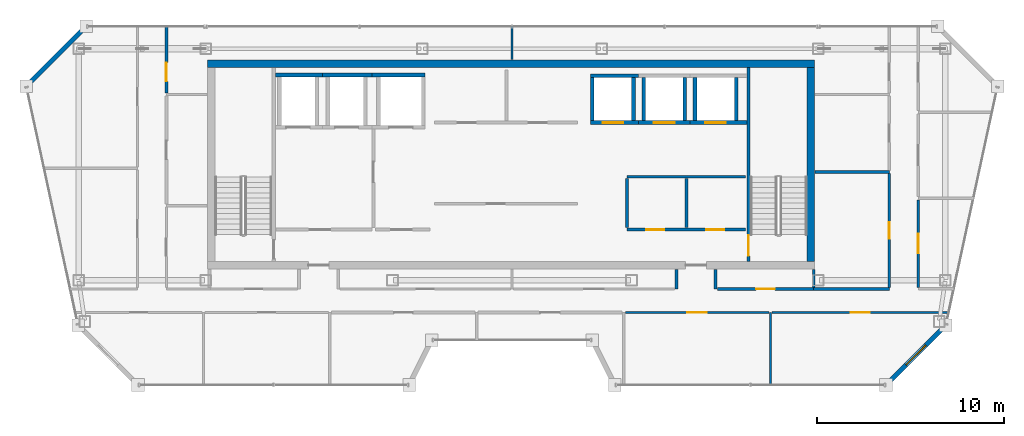
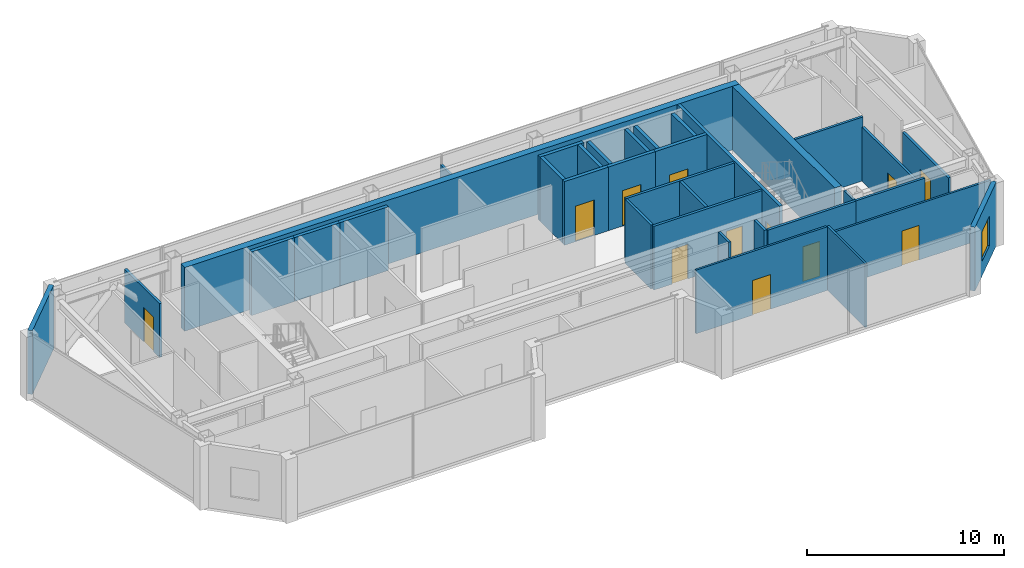
# One storey, part 16 of 20: 35 walls, 12 doors, 1 window, 13 openings.
"""IFC4 building model written with IfcOpenShell, lengths in metres."""

from ifc_helpers import new_model, si_unit, direction, frame, frame_2d, origin, place, context, subcontext, project, spatial, rectangle, extrude, material, layer, layer_set, type_object, element, fill, save


model = new_model("IFC4")

# Units and contexts
model_context = context("Model", 3, precision=1e-05, world=origin(), true_north=direction((0.0, 1.0)))
body_context = subcontext(model_context, "Body", "Model", "MODEL_VIEW")
ifc_project = project(units=[si_unit("LENGTHUNIT", "METRE"), si_unit("AREAUNIT", "SQUARE_METRE"), si_unit("VOLUMEUNIT", "CUBIC_METRE"), si_unit("PLANEANGLEUNIT", "RADIAN"), si_unit("MASSUNIT", "GRAM", prefix="KILO")], contexts=[model_context])

# Site, building, storey
site_placement = place(None, origin())
site = spatial("IfcSite", under=ifc_project, at=site_placement, CompositionType="ELEMENT")
building_placement = place(site_placement, origin())
building = spatial("IfcBuilding", under=site, at=building_placement, Name="Saevonmaru Cultural Tower", CompositionType="ELEMENT")
storey_placement = place(building_placement, frame((0.0, 0.0, 319.199951171875)))
storey = spatial("IfcBuildingStorey", under=building, at=storey_placement, Name="L76", CompositionType="ELEMENT", Elevation=319.199951171875)

# Walls
ifc_material_1 = material(Name="Concrete C50/60", Category="concrete")
ifc_layer_1 = layer(ifc_material_1, 0.39990234375, Name="Concrete C50/60")
ifc_layer_set_1 = layer_set([ifc_layer_1], Name="Concrete C50/60")
wall_type_1 = type_object("IfcWallType", Name="WL-CORE-400", PredefinedType="SHEAR", material=ifc_layer_set_1)
wall_1_placement = place(storey_placement, frame((13.699951171875, 54.0, 0.0), z_axis=(0.0, 0.0, 1.0), x_axis=(1.0, 0.0, 0.0)))
element("IfcWall", 1, at=wall_1_placement, inside=storey, type_object=wall_type_1, Name="L76 Tower RC core shear wall N", PredefinedType="SHEAR", context=body_context, shape_type="SweptSolid", body=[
    extrude(rectangle(XDim=32.5, YDim=0.39990234375, at=frame_2d((16.25, 0.0))), origin(), (0.0, 0.0, 1.0), 3.949951171875),
])
wall_2_placement = place(storey_placement, frame((46.0, 43.39990234375, 0.0), z_axis=(0.0, 0.0, 1.0), x_axis=(0.0, 1.0, 0.0)))
element("IfcWall", 2, at=wall_2_placement, inside=storey, type_object=wall_type_1, Name="L76 Tower RC core shear wall E", PredefinedType="SHEAR", context=body_context, shape_type="SweptSolid", body=[
    extrude(rectangle(XDim=10.400146484375, YDim=0.39990234375, at=frame_2d((5.2001953125, 0.0))), origin(), (0.0, 0.0, 1.0), 3.949951171875),
])

# Wall, openings, doors
ifc_material_2 = material(Name="Gypsum Fireboard Partition", Category="gypsum")
ifc_layer_2 = layer(ifc_material_2, 0.14990234375, Name="Gypsum Fireboard Partition")
ifc_layer_set_2 = layer_set([ifc_layer_2], Name="Gypsum Fireboard Partition")
wall_type_2 = type_object("IfcWallType", Name="WL-CORE-PART-150", PredefinedType="PARTITIONING", material=ifc_layer_set_2)
wall_3_placement = place(storey_placement, frame((36.14990234375, 45.1201171875, 0.0), z_axis=(0.0, 0.0, 1.0), x_axis=(1.0, 0.0, 0.0)))
wall_3 = element("IfcWall", 3, at=wall_3_placement, inside=storey, type_object=wall_type_2, Name="L76 Core Cluster South Wall", PredefinedType="PARTITIONING", context=body_context, shape_type="SweptSolid", body=[
    extrude(rectangle(XDim=6.35009765625, YDim=0.14990234375, at=frame_2d((3.175048828125, 0.0))), origin(), (0.0, 0.0, 1.0), 3.949951171875),
])
opening_1_placement = place(wall_3_placement, frame((1.050048828125, 0.0, 0.0)))
opening_1 = element("IfcOpeningElement", 4, at=opening_1_placement, cuts=wall_3, Name="Opening FD-4", PredefinedType="OPENING", context=body_context, shape_type="SweptSolid", body=[
    extrude(rectangle(XDim=0.949951171875, YDim=2.14990234375, at=frame_2d((0.47509765625, 1.074951171875))), frame((0.0, 0.0849609375, 0.0), z_axis=(0.0, -1.0, 0.0), x_axis=(1.0, 0.0, 0.0)), (0.0, 0.0, 1.0), 0.169921875),
])
opening_2_placement = place(wall_3_placement, frame((4.25, 0.0, 0.0)))
opening_2 = element("IfcOpeningElement", 5, at=opening_2_placement, cuts=wall_3, Name="Opening FD-4", PredefinedType="OPENING", context=body_context, shape_type="SweptSolid", body=[
    extrude(rectangle(XDim=0.949951171875, YDim=2.14990234375, at=frame_2d((0.47509765625, 1.074951171875))), frame((0.0, 0.0849609375, 0.0), z_axis=(0.0, -1.0, 0.0), x_axis=(1.0, 0.0, 0.0)), (0.0, 0.0, 1.0), 0.169921875),
])
ifc_material_3 = material(Name="Satin Bronze Anodised Aluminium", Category="aluminium")
door_type_1 = type_object("IfcDoorType", Name="DR-FD60-950", OperationType="SINGLE_SWING_LEFT", PredefinedType="DOOR", material=ifc_material_3)
door_1_placement = place(opening_1_placement, origin())
door_1 = element("IfcDoor", 6, at=door_1_placement, inside=storey, type_object=door_type_1, Name="L76 BMS Control Room Door", OperationType="SINGLE_SWING_LEFT", OverallHeight=2.14990234375, OverallWidth=0.949951171875, PredefinedType="DOOR", context=body_context, shape_type="SweptSolid", body=[
    extrude(rectangle(XDim=0.949951171875, YDim=2.14990234375, at=frame_2d((0.47509765625, 1.074951171875))), frame((0.0, 0.02490234375, 0.0), z_axis=(0.0, -1.0, 0.0), x_axis=(1.0, 0.0, 0.0)), (0.0, 0.0, 1.0), 0.050048828125),
])
fill(opening_1, door_1)
door_2_placement = place(opening_2_placement, origin())
door_2 = element("IfcDoor", 7, at=door_2_placement, inside=storey, type_object=door_type_1, Name="L76 Fibre Node Plant Door", OperationType="SINGLE_SWING_LEFT", OverallHeight=2.14990234375, OverallWidth=0.949951171875, PredefinedType="DOOR", context=body_context, shape_type="SweptSolid", body=[
    extrude(rectangle(XDim=0.949951171875, YDim=2.14990234375, at=frame_2d((0.47509765625, 1.074951171875))), frame((0.0, 0.02490234375, 0.0), z_axis=(0.0, -1.0, 0.0), x_axis=(1.0, 0.0, 0.0)), (0.0, 0.0, 1.0), 0.050048828125),
])
fill(opening_2, door_2)

# Walls
wall_4_placement = place(storey_placement, frame((36.14990234375, 47.949951171875, 0.0), z_axis=(0.0, 0.0, 1.0), x_axis=(1.0, 0.0, 0.0)))
element("IfcWall", 8, at=wall_4_placement, inside=storey, type_object=wall_type_2, Name="L76 Core Cluster North Wall", PredefinedType="PARTITIONING", context=body_context, shape_type="SweptSolid", body=[
    extrude(rectangle(XDim=6.35009765625, YDim=0.14990234375, at=frame_2d((3.175048828125, 0.0))), origin(), (0.0, 0.0, 1.0), 3.949951171875),
])
for number, where, z_axis, x_axis, name in (
    (9, (36.14990234375, 45.219970703125, 0.0), (0.0, 0.0, 1.0), (0.0, 1.0, 0.0), "L76 Core Cluster West Wall"),
    (10, (39.35009765625, 45.219970703125, 0.0), (0.0, 0.0, 1.0), (0.0, 1.0, 0.0), "L76 Core Cluster Inner Split"),
):
    element("IfcWall", number, at=place(storey_placement, frame(where, z_axis=z_axis, x_axis=x_axis)), inside=storey, type_object=wall_type_2, Name=name, PredefinedType="PARTITIONING", context=body_context, shape_type="SweptSolid", body=[
        extrude(rectangle(XDim=2.630126953125, YDim=0.14990234375, at=frame_2d((1.31494140625, 0.0))), origin(), (0.0, 0.0, 1.0), 3.949951171875),
    ])

# Wall, opening, window
ifc_material_4 = material(Name="Granite-Clad Precast Concrete C40/50", Category="masonry")
ifc_layer_3 = layer(ifc_material_4, 0.260009765625, Name="Granite-Clad Precast Concrete C40/50")
ifc_layer_set_3 = layer_set([ifc_layer_3], Name="Granite-Clad Precast Concrete C40/50")
wall_type_3 = type_object("IfcWallType", Name="WL-EXT-SPANDREL-260", PredefinedType="STANDARD", material=ifc_layer_set_3)
wall_5_placement = place(storey_placement, frame((50.139892578125, 36.9130859375, 0.0), z_axis=(0.0, 0.0, 1.0), x_axis=(0.70707775441, 0.707135806771, 0.0)))
wall_5 = element("IfcWall", 11, at=wall_5_placement, inside=storey, type_object=wall_type_3, Name="L76 Chamfer Corner Spandrel Wall E7", PredefinedType="STANDARD", context=body_context, shape_type="SweptSolid", body=[
    extrude(rectangle(XDim=4.20556640625, YDim=0.260009765625, at=frame_2d((2.102783203125, 0.0))), origin(), (0.0, 0.0, 1.0), 3.949951171875),
])
opening_3_placement = place(wall_5_placement, frame((1.35302734375, 0.0, 0.89990234375)))
opening_3 = element("IfcOpeningElement", 12, at=opening_3_placement, cuts=wall_5, Name="Opening W-2B", PredefinedType="OPENING", context=body_context, shape_type="SweptSolid", body=[
    extrude(rectangle(XDim=1.5, YDim=1.85009765625, at=frame_2d((0.75, 0.925048828125))), frame((0.0, 0.14013671875, 0.0), z_axis=(0.0, -1.0, 0.0), x_axis=(1.0, 0.0, 0.0)), (0.0, 0.0, 1.0), 0.280029296875),
])
window_type = type_object("IfcWindowType", Name="WN-DECO-1500x1850", PartitioningType="SINGLE_PANEL", PredefinedType="WINDOW", material=ifc_material_3)
window_placement = place(opening_3_placement, origin())
window = element("IfcWindow", 13, at=window_placement, inside=storey, type_object=window_type, Name="L76 Chamfer Corner Bronze Window E7", OverallHeight=1.85009765625, OverallWidth=1.5, PartitioningType="SINGLE_PANEL", PredefinedType="WINDOW", context=body_context, shape_type="SweptSolid", body=[
    extrude(rectangle(XDim=1.5, YDim=1.85009765625, at=frame_2d((0.75, 0.925048828125))), frame((0.0, 0.030029296875, 0.0), z_axis=(0.0, -1.0, 0.0), x_axis=(1.0, 0.0, 0.0)), (0.0, 0.0, 1.0), 0.06005859375),
])
fill(opening_3, window)

# Wall
wall_6_placement = place(storey_placement, frame((7.0869140625, 55.886962890625, 0.0), z_axis=(0.0, 0.0, 1.0), x_axis=(-0.707106781187, -0.707106781187, 0.0)))
element("IfcWall", 14, at=wall_6_placement, inside=storey, type_object=wall_type_3, Name="L76 Chamfer Corner Spandrel Wall E11", PredefinedType="STANDARD", context=body_context, shape_type="SweptSolid", body=[
    extrude(rectangle(XDim=4.205810546875, YDim=0.260009765625, at=frame_2d((2.10302734375, 0.0))), origin(), (0.0, 0.0, 1.0), 3.949951171875),
])

# Wall, opening, door
ifc_layer_4 = layer(ifc_material_2, 0.14990234375, Name="Gypsum Fireboard Partition")
ifc_layer_set_4 = layer_set([ifc_layer_4], Name="Gypsum Fireboard Partition")
wall_type_4 = type_object("IfcWallType", Name="WL-PART-FIRE-150", PredefinedType="PARTITIONING", material=ifc_layer_set_4)
wall_7_placement = place(storey_placement, frame((11.5, 52.429931640625, 0.0), z_axis=(0.0, 0.0, 1.0), x_axis=(0.0, 1.0, 0.0)))
wall_7 = element("IfcWall", 15, at=wall_7_placement, inside=storey, type_object=wall_type_4, Name="L76 Media Screening Auditorium Corridor Wall", PredefinedType="PARTITIONING", context=body_context, shape_type="SweptSolid", body=[
    extrude(rectangle(XDim=3.565185546875, YDim=0.14990234375, at=frame_2d((1.78271484375, 0.0))), origin(), (0.0, 0.0, 1.0), 3.3349609375),
])
opening_4_placement = place(wall_7_placement, frame((0.6220703125, 0.0, 0.0)))
opening_4 = element("IfcOpeningElement", 16, at=opening_4_placement, cuts=wall_7, Name="Opening ID-1B", PredefinedType="OPENING", context=body_context, shape_type="SweptSolid", body=[
    extrude(rectangle(XDim=1.0, YDim=2.14990234375, at=frame_2d((0.5, 1.074951171875))), frame((0.0, 0.0849609375, 0.0), z_axis=(0.0, -1.0, 0.0), x_axis=(1.0, 0.0, 0.0)), (0.0, 0.0, 1.0), 0.169921875),
])
ifc_material_5 = material(Name="Acoustic Stained Oak Timber", Category="wood")
door_type_2 = type_object("IfcDoorType", Name="DR-INT-1000", OperationType="SINGLE_SWING_RIGHT", PredefinedType="DOOR", material=ifc_material_5)
door_3_placement = place(opening_4_placement, origin())
door_3 = element("IfcDoor", 17, at=door_3_placement, inside=storey, type_object=door_type_2, Name="L76 Media Screening Auditorium Door", OperationType="SINGLE_SWING_LEFT", OverallHeight=2.14990234375, OverallWidth=1.0, PredefinedType="DOOR", context=body_context, shape_type="SweptSolid", body=[
    extrude(rectangle(XDim=1.0, YDim=2.14990234375, at=frame_2d((0.5, 1.074951171875))), frame((0.0, 0.02490234375, 0.0), z_axis=(0.0, -1.0, 0.0), x_axis=(1.0, 0.0, 0.0)), (0.0, 0.0, 1.0), 0.050048828125),
])
fill(opening_4, door_3)

wall_8_placement = place(storey_placement, frame((51.75, 42.027587890625, 0.0), z_axis=(0.0, 0.0, 1.0), x_axis=(0.0, 1.0, 0.0)))
wall_8 = element("IfcWall", 18, at=wall_8_placement, inside=storey, type_object=wall_type_4, Name="L76 Visual Arts Critique Gallery Corridor Wall", PredefinedType="PARTITIONING", context=body_context, shape_type="SweptSolid", body=[
    extrude(rectangle(XDim=4.684814453125, YDim=0.14990234375, at=frame_2d((2.34228515625, 0.0))), origin(), (0.0, 0.0, 1.0), 3.34716796875),
])
opening_5_placement = place(wall_8_placement, frame((1.81689453125, 0.0, 0.0)))
opening_5 = element("IfcOpeningElement", 19, at=opening_5_placement, cuts=wall_8, Name="Opening ID-1", PredefinedType="OPENING", context=body_context, shape_type="SweptSolid", body=[
    extrude(rectangle(XDim=1.050048828125, YDim=2.14990234375, at=frame_2d((0.52490234375, 1.074951171875))), frame((0.0, 0.0849609375, 0.0), z_axis=(0.0, -1.0, 0.0), x_axis=(1.0, 0.0, 0.0)), (0.0, 0.0, 1.0), 0.169921875),
])
door_type_3 = type_object("IfcDoorType", Name="DR-INT-1050", OperationType="SINGLE_SWING_LEFT", PredefinedType="DOOR", material=ifc_material_3)
door_4_placement = place(opening_5_placement, origin())
door_4 = element("IfcDoor", 20, at=door_4_placement, inside=storey, type_object=door_type_3, Name="L76 Visual Arts Critique Gallery Door", OperationType="SINGLE_SWING_RIGHT", OverallHeight=2.14990234375, OverallWidth=1.050048828125, PredefinedType="DOOR", context=body_context, shape_type="SweptSolid", body=[
    extrude(rectangle(XDim=1.050048828125, YDim=2.14990234375, at=frame_2d((0.52490234375, 1.074951171875))), frame((0.0, 0.02490234375, 0.0), z_axis=(0.0, -1.0, 0.0), x_axis=(1.0, 0.0, 0.0)), (0.0, 0.0, 1.0), 0.050048828125),
])
fill(opening_5, door_4)

# Walls
for number, where, z_axis, x_axis, name in (
    (21, (38.800048828125, 41.93994140625, 0.0), (0.0, 0.0, 1.0), (0.0, 1.0, 0.0), "L76 Core Portal Side Wall E1"),
    (22, (40.89990234375, 41.93994140625, 0.0), (0.0, 0.0, 1.0), (0.0, 1.0, 0.0), "L76 Core Portal Side Wall E2"),
):
    element("IfcWall", number, at=place(storey_placement, frame(where, z_axis=z_axis, x_axis=x_axis)), inside=storey, type_object=wall_type_4, Name=name, PredefinedType="PARTITIONING", context=body_context, shape_type="SweptSolid", body=[
        extrude(rectangle(XDim=1.0400390625, YDim=0.14990234375, at=frame_2d((0.52001953125, 0.0))), origin(), (0.0, 0.0, 1.0), 3.949951171875),
    ])

# Wall, opening, door
wall_9_placement = place(storey_placement, frame((40.9951171875, 41.93994140625, 0.0), z_axis=(0.0, 0.0, 1.0), x_axis=(1.0, 0.0, 0.0)))
wall_9 = element("IfcWall", 23, at=wall_9_placement, inside=storey, type_object=wall_type_4, Name="L76 Media Screening Auditorium Corridor Wall", PredefinedType="PARTITIONING", context=body_context, shape_type="SweptSolid", body=[
    extrude(rectangle(XDim=5.15478515625, YDim=0.14990234375, at=frame_2d((2.577392578125, 0.0))), origin(), (0.0, 0.0, 1.0), 3.949951171875),
])
opening_6_placement = place(wall_9_placement, frame((2.077880859375, 0.0, 0.0)))
opening_6 = element("IfcOpeningElement", 24, at=opening_6_placement, cuts=wall_9, Name="Opening ID-1B", PredefinedType="OPENING", context=body_context, shape_type="SweptSolid", body=[
    extrude(rectangle(XDim=1.0, YDim=2.14990234375, at=frame_2d((0.5, 1.074951171875))), frame((0.0, 0.0849609375, 0.0), z_axis=(0.0, -1.0, 0.0), x_axis=(1.0, 0.0, 0.0)), (0.0, 0.0, 1.0), 0.169921875),
])
door_5_placement = place(opening_6_placement, origin())
door_5 = element("IfcDoor", 25, at=door_5_placement, inside=storey, type_object=door_type_2, Name="L76 Media Screening Auditorium Door", OperationType="SINGLE_SWING_RIGHT", OverallHeight=2.14990234375, OverallWidth=1.0, PredefinedType="DOOR", context=body_context, shape_type="SweptSolid", body=[
    extrude(rectangle(XDim=1.0, YDim=2.14990234375, at=frame_2d((0.5, 1.074951171875))), frame((0.0, 0.02490234375, 0.0), z_axis=(0.0, -1.0, 0.0), x_axis=(1.0, 0.0, 0.0)), (0.0, 0.0, 1.0), 0.050048828125),
])
fill(opening_6, door_5)

# Walls
ifc_layer_5 = layer(ifc_material_2, 0.1201171875, Name="Gypsum Fireboard Partition")
ifc_layer_set_5 = layer_set([ifc_layer_5], Name="Gypsum Fireboard Partition")
wall_type_5 = type_object("IfcWallType", Name="WL-PART-GYP-120", PredefinedType="PARTITIONING", material=ifc_layer_set_5)
wall_10_placement = place(storey_placement, frame((30.0, 54.219970703125, 0.0), z_axis=(0.0, 0.0, 1.0), x_axis=(0.0, 1.0, 0.0)))
element("IfcWall", 26, at=wall_10_placement, inside=storey, type_object=wall_type_5, Name="L76 North Panorama Center Split", PredefinedType="PARTITIONING", context=body_context, shape_type="SweptSolid", body=[
    extrude(rectangle(XDim=1.775146484375, YDim=0.1201171875, at=frame_2d((0.8876953125, 0.0))), origin(), (0.0, 0.0, 1.0), 3.3349609375),
])
wall_11_placement = place(storey_placement, frame((43.840087890625, 36.804931640625, 0.0), z_axis=(0.0, 0.0, 1.0), x_axis=(0.0, 1.0, 0.0)))
element("IfcWall", 27, at=wall_11_placement, inside=storey, type_object=wall_type_5, Name="L76 Observatory Bay Divider 5", PredefinedType="PARTITIONING", context=body_context, shape_type="SweptSolid", body=[
    extrude(rectangle(XDim=3.875, YDim=0.1201171875, at=frame_2d((1.9375, 0.0))), origin(), (0.0, 0.0, 1.0), 3.949951171875),
])

# Wall, opening, door
wall_12_placement = place(storey_placement, frame((36.0673828125, 40.679931640625, 0.0), z_axis=(0.0, 0.0, 1.0), x_axis=(1.0, 0.0, 0.0)))
wall_12 = element("IfcWall", 28, at=wall_12_placement, inside=storey, type_object=wall_type_5, Name="L76 Cartographic Study Library Corridor Wall", PredefinedType="PARTITIONING", context=body_context, shape_type="SweptSolid", body=[
    extrude(rectangle(XDim=7.692626953125, YDim=0.1201171875, at=frame_2d((3.84619140625, 0.0))), origin(), (0.0, 0.0, 1.0), 3.949951171875),
])
opening_7_placement = place(wall_12_placement, frame((3.321044921875, 0.0, 0.0)))
opening_7 = element("IfcOpeningElement", 29, at=opening_7_placement, cuts=wall_12, Name="Opening ID-1", PredefinedType="OPENING", context=body_context, shape_type="SweptSolid", body=[
    extrude(rectangle(XDim=1.050048828125, YDim=2.14990234375, at=frame_2d((0.52490234375, 1.074951171875))), frame((0.0, 0.070068359375, 0.0), z_axis=(0.0, -1.0, 0.0), x_axis=(1.0, 0.0, 0.0)), (0.0, 0.0, 1.0), 0.14013671875),
])
door_6_placement = place(opening_7_placement, origin())
door_6 = element("IfcDoor", 30, at=door_6_placement, inside=storey, type_object=door_type_3, Name="L76 Cartographic Study Library Door", OperationType="SINGLE_SWING_LEFT", OverallHeight=2.14990234375, OverallWidth=1.050048828125, PredefinedType="DOOR", context=body_context, shape_type="SweptSolid", body=[
    extrude(rectangle(XDim=1.050048828125, YDim=2.14990234375, at=frame_2d((0.52490234375, 1.074951171875))), frame((0.0, 0.02490234375, 0.0), z_axis=(0.0, -1.0, 0.0), x_axis=(1.0, 0.0, 0.0)), (0.0, 0.0, 1.0), 0.050048828125),
])
fill(opening_7, door_6)

wall_13_placement = place(storey_placement, frame((43.919921875, 40.679931640625, 0.0), z_axis=(0.0, 0.0, 1.0), x_axis=(1.0, 0.0, 0.0)))
wall_13 = element("IfcWall", 31, at=wall_13_placement, inside=storey, type_object=wall_type_5, Name="L76 Panoramic Salon Restaurant Corridor Wall", PredefinedType="PARTITIONING", context=body_context, shape_type="SweptSolid", body=[
    extrude(rectangle(XDim=9.448974609375, YDim=0.1201171875, at=frame_2d((4.724609375, 0.0))), origin(), (0.0, 0.0, 1.0), 3.485107421875),
])
opening_8_placement = place(wall_13_placement, frame((4.22412109375, 0.0, 0.0)))
opening_8 = element("IfcOpeningElement", 32, at=opening_8_placement, cuts=wall_13, Name="Opening ID-1B", PredefinedType="OPENING", context=body_context, shape_type="SweptSolid", body=[
    extrude(rectangle(XDim=1.0, YDim=2.14990234375, at=frame_2d((0.5, 1.074951171875))), frame((0.0, 0.070068359375, 0.0), z_axis=(0.0, -1.0, 0.0), x_axis=(1.0, 0.0, 0.0)), (0.0, 0.0, 1.0), 0.14013671875),
])
door_7_placement = place(opening_8_placement, origin())
door_7 = element("IfcDoor", 33, at=door_7_placement, inside=storey, type_object=door_type_2, Name="L76 Panoramic Salon Restaurant Door", OperationType="SINGLE_SWING_RIGHT", OverallHeight=2.14990234375, OverallWidth=1.0, PredefinedType="DOOR", context=body_context, shape_type="SweptSolid", body=[
    extrude(rectangle(XDim=1.0, YDim=2.14990234375, at=frame_2d((0.5, 1.074951171875))), frame((0.0, 0.02490234375, 0.0), z_axis=(0.0, -1.0, 0.0), x_axis=(1.0, 0.0, 0.0)), (0.0, 0.0, 1.0), 0.050048828125),
])
fill(opening_8, door_7)

# Walls
ifc_layer_6 = layer(ifc_material_2, 0.139892578125, Name="Gypsum Fireboard Partition")
ifc_layer_set_6 = layer_set([ifc_layer_6], Name="Gypsum Fireboard Partition")
wall_type_6 = type_object("IfcWallType", Name="WL-PART-WET-140", PredefinedType="PARTITIONING", material=ifc_layer_set_6)
wall_14_placement = place(storey_placement, frame((46.14990234375, 41.93994140625, 0.0), z_axis=(0.0, 0.0, 1.0), x_axis=(1.0, 0.0, 0.0)))
element("IfcWall", 34, at=wall_14_placement, inside=storey, type_object=wall_type_6, Name="L76 Washroom South Wall", PredefinedType="PARTITIONING", context=body_context, shape_type="SweptSolid", body=[
    extrude(rectangle(XDim=4.050048828125, YDim=0.139892578125, at=frame_2d((2.02490234375, 0.0))), origin(), (0.0, 0.0, 1.0), 3.949951171875),
])
wall_15_placement = place(storey_placement, frame((46.14990234375, 42.030029296875, 0.0), z_axis=(0.0, 0.0, 1.0), x_axis=(0.0, 1.0, 0.0)))
element("IfcWall", 35, at=wall_15_placement, inside=storey, type_object=wall_type_6, Name="L76 Washroom South-West Return", PredefinedType="PARTITIONING", context=body_context, shape_type="SweptSolid", body=[
    extrude(rectangle(XDim=0.949951171875, YDim=0.139892578125, at=frame_2d((0.47509765625, 0.0))), origin(), (0.0, 0.0, 1.0), 3.949951171875),
])
wall_16_placement = place(storey_placement, frame((46.219970703125, 48.199951171875, 0.0), z_axis=(0.0, 0.0, 1.0), x_axis=(1.0, 0.0, 0.0)))
element("IfcWall", 36, at=wall_16_placement, inside=storey, type_object=wall_type_6, Name="L76 Washroom North Wall", PredefinedType="PARTITIONING", context=body_context, shape_type="SweptSolid", body=[
    extrude(rectangle(XDim=3.97998046875, YDim=0.139892578125, at=frame_2d((1.989990234375, 0.0))), origin(), (0.0, 0.0, 1.0), 3.949951171875),
])

# Wall, opening, door
wall_17_placement = place(storey_placement, frame((50.199951171875, 42.030029296875, 0.0), z_axis=(0.0, 0.0, 1.0), x_axis=(0.0, 1.0, 0.0)))
wall_17 = element("IfcWall", 37, at=wall_17_placement, inside=storey, type_object=wall_type_6, Name="L76 Washroom Corridor Wall", PredefinedType="PARTITIONING", context=body_context, shape_type="SweptSolid", body=[
    extrude(rectangle(XDim=6.080078125, YDim=0.139892578125, at=frame_2d((3.0400390625, 0.0))), origin(), (0.0, 0.0, 1.0), 3.34716796875),
])
opening_9_placement = place(wall_17_placement, frame((2.590087890625, 0.0, 0.0)))
opening_9 = element("IfcOpeningElement", 38, at=opening_9_placement, cuts=wall_17, Name="Opening ID-2", PredefinedType="OPENING", context=body_context, shape_type="SweptSolid", body=[
    extrude(rectangle(XDim=0.89990234375, YDim=2.10009765625, at=frame_2d((0.449951171875, 1.050048828125))), frame((0.0, 0.080078125, 0.0), z_axis=(0.0, -1.0, 0.0), x_axis=(1.0, 0.0, 0.0)), (0.0, 0.0, 1.0), 0.159912109375),
])
door_type_4 = type_object("IfcDoorType", Name="DR-INT-900", OperationType="SINGLE_SWING_RIGHT", PredefinedType="DOOR", material=ifc_material_5)
door_8_placement = place(opening_9_placement, origin())
door_8 = element("IfcDoor", 39, at=door_8_placement, inside=storey, type_object=door_type_4, Name="L76 Public Accessible Washrooms Door", OperationType="SINGLE_SWING_RIGHT", OverallHeight=2.10009765625, OverallWidth=0.89990234375, PredefinedType="DOOR", context=body_context, shape_type="SweptSolid", body=[
    extrude(rectangle(XDim=0.89990234375, YDim=2.10009765625, at=frame_2d((0.449951171875, 1.050048828125))), frame((0.0, 0.02490234375, 0.0), z_axis=(0.0, -1.0, 0.0), x_axis=(1.0, 0.0, 0.0)), (0.0, 0.0, 1.0), 0.050048828125),
])
fill(opening_9, door_8)

# Walls
ifc_material_6 = material(Name="Concrete C40/50", Category="concrete")
ifc_layer_7 = layer(ifc_material_6, 0.199951171875, Name="Concrete C40/50")
ifc_layer_set_7 = layer_set([ifc_layer_7], Name="Concrete C40/50")
wall_type_7 = type_object("IfcWallType", Name="WL-SHAFT-200", PredefinedType="SHEAR", material=ifc_layer_set_7)
wall_18_placement = place(storey_placement, frame((17.330078125, 53.39990234375, 0.0), z_axis=(0.0, 0.0, 1.0), x_axis=(1.0, 0.0, 0.0)))
element("IfcWall", 40, at=wall_18_placement, inside=storey, type_object=wall_type_7, Name="L76 Lift FFL-1 Hoistway Wall N", PredefinedType="SHEAR", context=body_context, shape_type="SweptSolid", body=[
    extrude(rectangle(XDim=2.52001953125, YDim=0.199951171875, at=frame_2d((1.260009765625, 0.0))), origin(), (0.0, 0.0, 1.0), 3.949951171875),
])
wall_19_placement = place(storey_placement, frame((19.85009765625, 53.39990234375, 0.0), z_axis=(0.0, 0.0, 1.0), x_axis=(1.0, 0.0, 0.0)))
element("IfcWall", 41, at=wall_19_placement, inside=storey, type_object=wall_type_7, Name="L76 Lift FFL-2 Hoistway Wall N", PredefinedType="SHEAR", context=body_context, shape_type="SweptSolid", body=[
    extrude(rectangle(XDim=2.64990234375, YDim=0.199951171875, at=frame_2d((1.324951171875, 0.0))), origin(), (0.0, 0.0, 1.0), 3.949951171875),
])
wall_20_placement = place(storey_placement, frame((22.5, 53.39990234375, 0.0), z_axis=(0.0, 0.0, 1.0), x_axis=(1.0, 0.0, 0.0)))
element("IfcWall", 42, at=wall_20_placement, inside=storey, type_object=wall_type_7, Name="L76 Lift GL-1 Hoistway Wall N", PredefinedType="SHEAR", context=body_context, shape_type="SweptSolid", body=[
    extrude(rectangle(XDim=2.85009765625, YDim=0.199951171875, at=frame_2d((1.425048828125, 0.0))), origin(), (0.0, 0.0, 1.0), 3.949951171875),
])

# Wall, opening, door
wall_21_placement = place(storey_placement, frame((34.199951171875, 50.85009765625, 0.0), z_axis=(0.0, 0.0, 1.0), x_axis=(1.0, 0.0, 0.0)))
wall_21 = element("IfcWall", 43, at=wall_21_placement, inside=storey, type_object=wall_type_7, Name="L76 Lift PL-H1 Hoistway Wall S", PredefinedType="SHEAR", context=body_context, shape_type="SweptSolid", body=[
    extrude(rectangle(XDim=2.574951171875, YDim=0.199951171875, at=frame_2d((1.28759765625, 0.0))), origin(), (0.0, 0.0, 1.0), 3.949951171875),
])
opening_10_placement = place(wall_21_placement, frame((0.64990234375, 0.0, 0.0)))
opening_10 = element("IfcOpeningElement", 44, at=opening_10_placement, cuts=wall_21, Name="Opening LD-1", PredefinedType="OPENING", context=body_context, shape_type="SweptSolid", body=[
    extrude(rectangle(XDim=1.10009765625, YDim=2.199951171875, at=frame_2d((0.550048828125, 1.10009765625))), frame((0.0, 0.10986328125, 0.0), z_axis=(0.0, -1.0, 0.0), x_axis=(1.0, 0.0, 0.0)), (0.0, 0.0, 1.0), 0.219970703125),
])
ifc_material_7 = material(Name="Satin Bronze Stainless Steel", Category="steel")
door_type_5 = type_object("IfcDoorType", Name="DR-LIFT-1100", OperationType="SLIDING_TO_LEFT", PredefinedType="DOOR", material=ifc_material_7)
door_9_placement = place(opening_10_placement, origin())
door_9 = element("IfcDoor", 45, at=door_9_placement, inside=storey, type_object=door_type_5, Name="L76 Lift PL-H1 Sliding Landing Door", OperationType="SLIDING_TO_LEFT", OverallHeight=2.199951171875, OverallWidth=1.10009765625, PredefinedType="DOOR", context=body_context, shape_type="SweptSolid", body=[
    extrude(rectangle(XDim=1.10009765625, YDim=2.199951171875, at=frame_2d((0.550048828125, 1.10009765625))), frame((0.0, 0.02490234375, 0.0), z_axis=(0.0, -1.0, 0.0), x_axis=(1.0, 0.0, 0.0)), (0.0, 0.0, 1.0), 0.050048828125),
])
fill(opening_10, door_9)

# Walls
wall_22_placement = place(storey_placement, frame((34.199951171875, 53.35009765625, 0.0), z_axis=(0.0, 0.0, 1.0), x_axis=(1.0, 0.0, 0.0)))
element("IfcWall", 46, at=wall_22_placement, inside=storey, type_object=wall_type_7, Name="L76 Lift PL-H1 Hoistway Wall N", PredefinedType="SHEAR", context=body_context, shape_type="SweptSolid", body=[
    extrude(rectangle(XDim=2.574951171875, YDim=0.199951171875, at=frame_2d((1.28759765625, 0.0))), origin(), (0.0, 0.0, 1.0), 3.949951171875),
])
for number, where, z_axis, x_axis, name in (
    (47, (34.300048828125, 50.949951171875, 0.0), (0.0, 0.0, 1.0), (0.0, 1.0, 0.0), "L76 Lift PL-H1 Hoistway Wall W"),
    (48, (36.5, 50.949951171875, 0.0), (0.0, 0.0, 1.0), (0.0, 1.0, 0.0), "L76 Lift PL-H1 Hoistway Wall E"),
):
    element("IfcWall", number, at=place(storey_placement, frame(where, z_axis=z_axis, x_axis=x_axis)), inside=storey, type_object=wall_type_7, Name=name, PredefinedType="SHEAR", context=body_context, shape_type="SweptSolid", body=[
        extrude(rectangle(XDim=2.300048828125, YDim=0.199951171875, at=frame_2d((1.14990234375, 0.0))), origin(), (0.0, 0.0, 1.0), 3.949951171875),
    ])

# Wall, opening, door
wall_23_placement = place(storey_placement, frame((36.77490234375, 50.85009765625, 0.0), z_axis=(0.0, 0.0, 1.0), x_axis=(1.0, 0.0, 0.0)))
wall_23 = element("IfcWall", 49, at=wall_23_placement, inside=storey, type_object=wall_type_7, Name="L76 Lift PL-H2 Hoistway Wall S", PredefinedType="SHEAR", context=body_context, shape_type="SweptSolid", body=[
    extrude(rectangle(XDim=2.75, YDim=0.199951171875, at=frame_2d((1.375, 0.0))), origin(), (0.0, 0.0, 1.0), 3.949951171875),
])
opening_11_placement = place(wall_23_placement, frame((0.824951171875, 0.0, 0.0)))
opening_11 = element("IfcOpeningElement", 50, at=opening_11_placement, cuts=wall_23, Name="Opening LD-1", PredefinedType="OPENING", context=body_context, shape_type="SweptSolid", body=[
    extrude(rectangle(XDim=1.10009765625, YDim=2.199951171875, at=frame_2d((0.550048828125, 1.10009765625))), frame((0.0, 0.10986328125, 0.0), z_axis=(0.0, -1.0, 0.0), x_axis=(1.0, 0.0, 0.0)), (0.0, 0.0, 1.0), 0.219970703125),
])
door_10_placement = place(opening_11_placement, origin())
door_10 = element("IfcDoor", 51, at=door_10_placement, inside=storey, type_object=door_type_5, Name="L76 Lift PL-H2 Sliding Landing Door", OperationType="SLIDING_TO_LEFT", OverallHeight=2.199951171875, OverallWidth=1.10009765625, PredefinedType="DOOR", context=body_context, shape_type="SweptSolid", body=[
    extrude(rectangle(XDim=1.10009765625, YDim=2.199951171875, at=frame_2d((0.550048828125, 1.10009765625))), frame((0.0, 0.02490234375, 0.0), z_axis=(0.0, -1.0, 0.0), x_axis=(1.0, 0.0, 0.0)), (0.0, 0.0, 1.0), 0.050048828125),
])
fill(opening_11, door_10)

# Walls
for number, where, z_axis, x_axis, name in (
    (52, (37.050048828125, 50.949951171875, 0.0), (0.0, 0.0, 1.0), (0.0, 1.0, 0.0), "L76 Lift PL-H2 Hoistway Wall W"),
    (53, (39.25, 50.949951171875, 0.0), (0.0, 0.0, 1.0), (0.0, 1.0, 0.0), "L76 Lift PL-H2 Hoistway Wall E"),
):
    element("IfcWall", number, at=place(storey_placement, frame(where, z_axis=z_axis, x_axis=x_axis)), inside=storey, type_object=wall_type_7, Name=name, PredefinedType="SHEAR", context=body_context, shape_type="SweptSolid", body=[
        extrude(rectangle(XDim=2.300048828125, YDim=0.199951171875, at=frame_2d((1.14990234375, 0.0))), origin(), (0.0, 0.0, 1.0), 3.949951171875),
    ])

# Wall, opening, door
wall_24_placement = place(storey_placement, frame((39.52490234375, 50.85009765625, 0.0), z_axis=(0.0, 0.0, 1.0), x_axis=(1.0, 0.0, 0.0)))
wall_24 = element("IfcWall", 54, at=wall_24_placement, inside=storey, type_object=wall_type_7, Name="L76 Lift PL-H3 Hoistway Wall S", PredefinedType="SHEAR", context=body_context, shape_type="SweptSolid", body=[
    extrude(rectangle(XDim=3.045166015625, YDim=0.199951171875, at=frame_2d((1.5224609375, 0.0))), origin(), (0.0, 0.0, 1.0), 3.949951171875),
])
opening_12_placement = place(wall_24_placement, frame((0.824951171875, 0.0, 0.0)))
opening_12 = element("IfcOpeningElement", 55, at=opening_12_placement, cuts=wall_24, Name="Opening LD-1", PredefinedType="OPENING", context=body_context, shape_type="SweptSolid", body=[
    extrude(rectangle(XDim=1.10009765625, YDim=2.199951171875, at=frame_2d((0.550048828125, 1.10009765625))), frame((0.0, 0.10986328125, 0.0), z_axis=(0.0, -1.0, 0.0), x_axis=(1.0, 0.0, 0.0)), (0.0, 0.0, 1.0), 0.219970703125),
])
door_11_placement = place(opening_12_placement, origin())
door_11 = element("IfcDoor", 56, at=door_11_placement, inside=storey, type_object=door_type_5, Name="L76 Lift PL-H3 Sliding Landing Door", OperationType="SLIDING_TO_LEFT", OverallHeight=2.199951171875, OverallWidth=1.10009765625, PredefinedType="DOOR", context=body_context, shape_type="SweptSolid", body=[
    extrude(rectangle(XDim=1.10009765625, YDim=2.199951171875, at=frame_2d((0.550048828125, 1.10009765625))), frame((0.0, 0.02490234375, 0.0), z_axis=(0.0, -1.0, 0.0), x_axis=(1.0, 0.0, 0.0)), (0.0, 0.0, 1.0), 0.050048828125),
])
fill(opening_12, door_11)

# Walls
for number, where, z_axis, x_axis, name in (
    (57, (39.800048828125, 50.949951171875, 0.0), (0.0, 0.0, 1.0), (0.0, 1.0, 0.0), "L76 Lift PL-H3 Hoistway Wall W"),
    (58, (42.0, 50.949951171875, 0.0), (0.0, 0.0, 1.0), (0.0, 1.0, 0.0), "L76 Lift PL-H3 Hoistway Wall E"),
):
    element("IfcWall", number, at=place(storey_placement, frame(where, z_axis=z_axis, x_axis=x_axis)), inside=storey, type_object=wall_type_7, Name=name, PredefinedType="SHEAR", context=body_context, shape_type="SweptSolid", body=[
        extrude(rectangle(XDim=2.300048828125, YDim=0.199951171875, at=frame_2d((1.14990234375, 0.0))), origin(), (0.0, 0.0, 1.0), 3.949951171875),
    ])

# Wall, opening, door
ifc_layer_8 = layer(ifc_material_6, 0.179931640625, Name="Concrete C40/50")
ifc_layer_set_8 = layer_set([ifc_layer_8], Name="Concrete C40/50")
wall_type_8 = type_object("IfcWallType", Name="WL-STSHAFT-180", PredefinedType="SHEAR", material=ifc_layer_set_8)
wall_25_placement = place(storey_placement, frame((42.659912109375, 53.800048828125, 0.0), z_axis=(0.0, 0.0, 1.0), x_axis=(0.0, -1.0, 0.0)))
wall_25 = element("IfcWall", 59, at=wall_25_placement, inside=storey, type_object=wall_type_8, Name="L76 Stair ST-2 Structural Shaft Wall 1", PredefinedType="SHEAR", context=body_context, shape_type="SweptSolid", body=[
    extrude(rectangle(XDim=10.400146484375, YDim=0.179931640625, at=frame_2d((5.2001953125, 0.0))), origin(), (0.0, 0.0, 1.0), 3.949951171875),
])
opening_13_placement = place(wall_25_placement, frame((8.989990234375, 0.0, 0.0)))
opening_13 = element("IfcOpeningElement", 60, at=opening_13_placement, cuts=wall_25, Name="Opening FD-2", PredefinedType="OPENING", context=body_context, shape_type="SweptSolid", body=[
    extrude(rectangle(XDim=1.10009765625, YDim=2.14990234375, at=frame_2d((0.550048828125, 1.074951171875))), frame((0.0, 0.10009765625, 0.0), z_axis=(0.0, -1.0, 0.0), x_axis=(1.0, 0.0, 0.0)), (0.0, 0.0, 1.0), 0.199951171875),
])
door_type_6 = type_object("IfcDoorType", Name="DR-FD60-1100", OperationType="SINGLE_SWING_LEFT", PredefinedType="DOOR", material=ifc_material_3)
door_12_placement = place(opening_13_placement, origin())
door_12 = element("IfcDoor", 61, at=door_12_placement, inside=storey, type_object=door_type_6, Name="L76 Protected Stair ST-2 Fire Door", OperationType="SINGLE_SWING_LEFT", OverallHeight=2.14990234375, OverallWidth=1.10009765625, PredefinedType="DOOR", context=body_context, shape_type="SweptSolid", body=[
    extrude(rectangle(XDim=1.10009765625, YDim=2.14990234375, at=frame_2d((0.550048828125, 1.074951171875))), frame((0.0, 0.02490234375, 0.0), z_axis=(0.0, -1.0, 0.0), x_axis=(1.0, 0.0, 0.0)), (0.0, 0.0, 1.0), 0.050048828125),
])
fill(opening_13, door_12)

save(model, "model.ifc")
